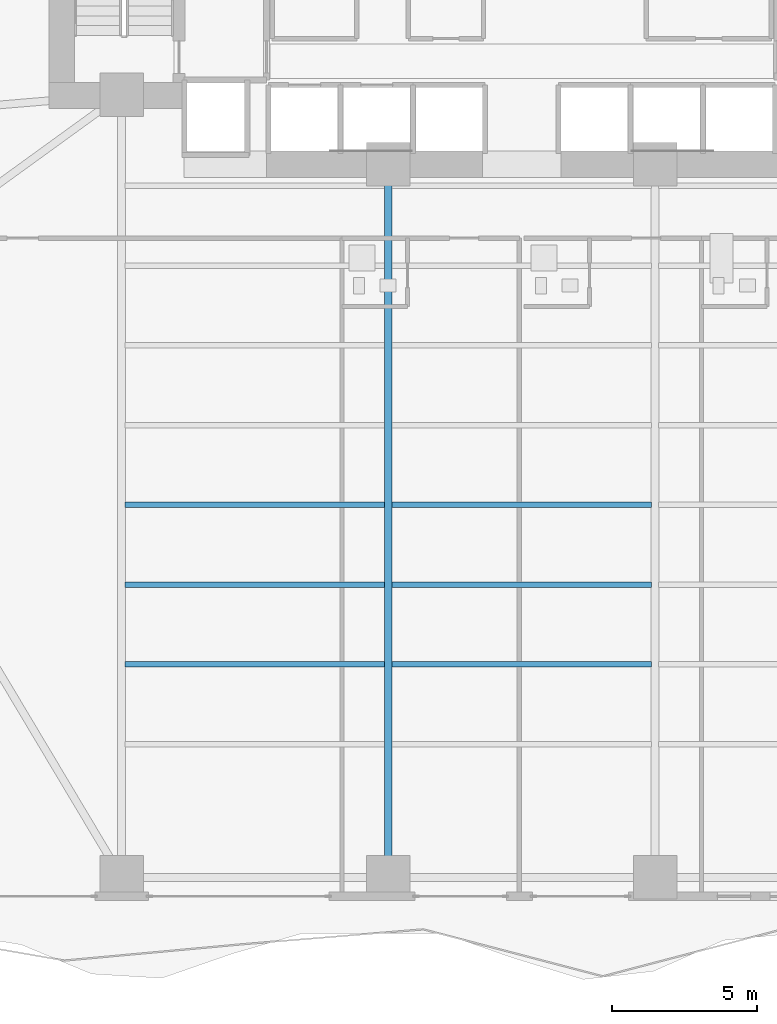
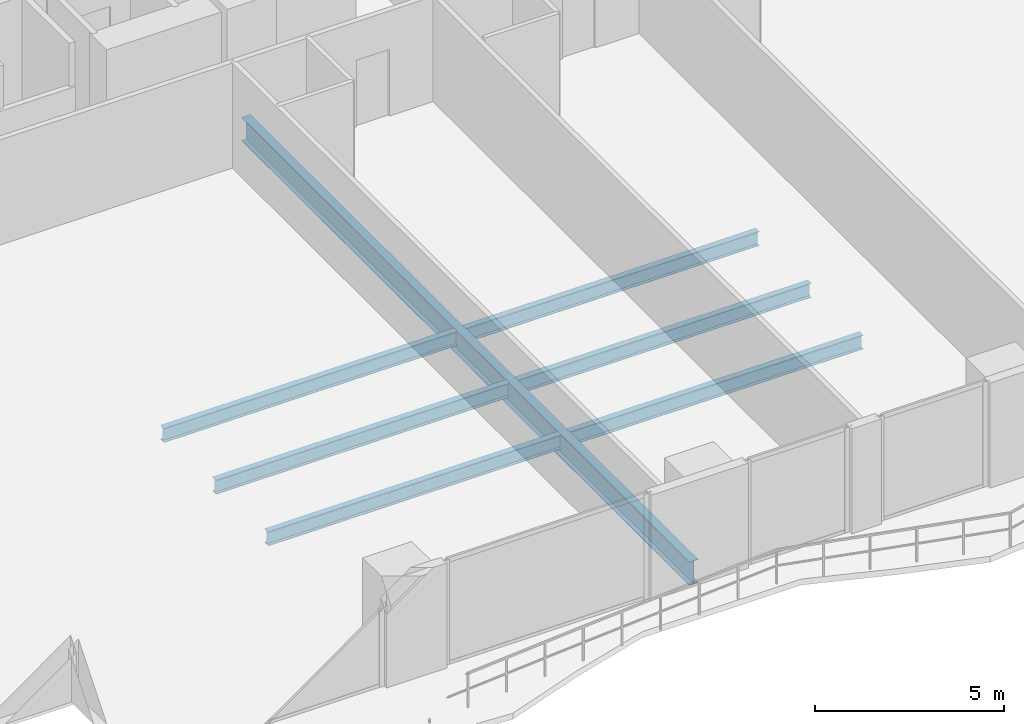
# One storey, part 5 of 30: 7 beams.
"""IFC4 building model written with IfcOpenShell, lengths in metres."""

from ifc_helpers import new_model, si_unit, direction, frame, origin, origin_2d, place, context, subcontext, project, spatial, i_section, extrude, material, material_profile, profile_set, type_object, element, save


model = new_model("IFC4")

# Units and contexts
model_context = context("Model", 3, precision=1e-05, world=origin(), true_north=direction((0.0, 1.0)))
body_context = subcontext(model_context, "Body", "Model", "MODEL_VIEW")
ifc_project = project(units=[si_unit("LENGTHUNIT", "METRE"), si_unit("AREAUNIT", "SQUARE_METRE"), si_unit("VOLUMEUNIT", "CUBIC_METRE"), si_unit("PLANEANGLEUNIT", "RADIAN"), si_unit("MASSUNIT", "GRAM", prefix="KILO")], contexts=[model_context])

# Site, building, storey
site_placement = place(None, origin())
site = spatial("IfcSite", under=ifc_project, at=site_placement, CompositionType="ELEMENT")
building_placement = place(site_placement, origin())
building = spatial("IfcBuilding", under=site, at=building_placement, Name="Zuhayl Quay Hotel", CompositionType="ELEMENT")
storey_placement = place(building_placement, frame((0.0, 0.0, 86.0)))
storey = spatial("IfcBuildingStorey", under=building, at=storey_placement, Name="L21", CompositionType="ELEMENT", Elevation=86.0)

# Beams
ifc_material = material(Name="Steel ASTM A992 Grade 50", Category="steel")
ifc_material_profile_1 = material_profile(ifc_material, i_section(OverallWidth=0.26708984375, OverallDepth=0.761962890625, WebThickness=0.014404296875, FlangeThickness=0.021484375, at=origin_2d()), Name="W30X116")
ifc_profile_set_1 = profile_set([ifc_material_profile_1], Name="Steel ASTM A992 Grade 50")
beam_type_1 = type_object("IfcBeamType", Name="BM_B1_W30X116", PredefinedType="BEAM", material=ifc_profile_set_1)
beam_1_placement = place(storey_placement, frame((-4.60009765625, -21.949951171875, -0.60107421875), z_axis=(0.0, 1.0, 0.0), x_axis=(-1.0, 0.0, 0.0)))
element("IfcBeam", 1, at=beam_1_placement, inside=storey, type_object=beam_type_1, Name="L21 Floor Beam FG_S_L21_2", PredefinedType="BEAM", context=body_context, shape_type="SweptSolid", body=[
    extrude(i_section(OverallWidth=0.26708984375, OverallDepth=0.761962890625, WebThickness=0.014404296875, FlangeThickness=0.021484375, at=origin_2d()), origin(), (0.0, 0.0, 1.0), 23.64990234375),
])
ifc_material_profile_2 = material_profile(ifc_material, i_section(OverallWidth=0.18994140625, OverallDepth=0.45703125, WebThickness=0.009033203125, FlangeThickness=0.014404296875, at=origin_2d()), Name="W18X50")
ifc_profile_set_2 = profile_set([ifc_material_profile_2], Name="Steel ASTM A992 Grade 50")
beam_type_2 = type_object("IfcBeamType", Name="BM_J2_W18X50", PredefinedType="JOIST", material=ifc_profile_set_2)
beam_2_placement = place(storey_placement, frame((-13.674560546875, -15.10009765625, -0.448486328125), z_axis=(1.0, 0.0, 0.0), x_axis=(0.0, 1.0, 0.0)))
element("IfcBeam", 2, at=beam_2_placement, inside=storey, type_object=beam_type_2, Name="L21 Floor Beam FJ_L21_4_1", PredefinedType="JOIST", context=body_context, shape_type="SweptSolid", body=[
    extrude(i_section(OverallWidth=0.18994140625, OverallDepth=0.45703125, WebThickness=0.009033203125, FlangeThickness=0.014404296875, at=origin_2d()), origin(), (0.0, 0.0, 1.0), 8.948974609375),
])
beam_3_placement = place(storey_placement, frame((-4.474609375, -15.10009765625, -0.448486328125), z_axis=(1.0, 0.0, 0.0), x_axis=(0.0, 1.0, 0.0)))
element("IfcBeam", 3, at=beam_3_placement, inside=storey, type_object=beam_type_2, Name="L21 Floor Beam FJ_L21_4_2", PredefinedType="JOIST", context=body_context, shape_type="SweptSolid", body=[
    extrude(i_section(OverallWidth=0.18994140625, OverallDepth=0.45703125, WebThickness=0.009033203125, FlangeThickness=0.014404296875, at=origin_2d()), origin(), (0.0, 0.0, 1.0), 8.94921875),
])
beam_4_placement = place(storey_placement, frame((-13.674560546875, -12.35009765625, -0.448486328125), z_axis=(1.0, 0.0, 0.0), x_axis=(0.0, 1.0, 0.0)))
element("IfcBeam", 4, at=beam_4_placement, inside=storey, type_object=beam_type_2, Name="L21 Floor Beam FJ_L21_5_1", PredefinedType="JOIST", context=body_context, shape_type="SweptSolid", body=[
    extrude(i_section(OverallWidth=0.18994140625, OverallDepth=0.45703125, WebThickness=0.009033203125, FlangeThickness=0.014404296875, at=origin_2d()), origin(), (0.0, 0.0, 1.0), 8.948974609375),
])
beam_5_placement = place(storey_placement, frame((-4.474609375, -12.35009765625, -0.448486328125), z_axis=(1.0, 0.0, 0.0), x_axis=(0.0, 1.0, 0.0)))
element("IfcBeam", 5, at=beam_5_placement, inside=storey, type_object=beam_type_2, Name="L21 Floor Beam FJ_L21_5_2", PredefinedType="JOIST", context=body_context, shape_type="SweptSolid", body=[
    extrude(i_section(OverallWidth=0.18994140625, OverallDepth=0.45703125, WebThickness=0.009033203125, FlangeThickness=0.014404296875, at=origin_2d()), origin(), (0.0, 0.0, 1.0), 8.94921875),
])
beam_6_placement = place(storey_placement, frame((-13.674560546875, -9.60009765625, -0.448486328125), z_axis=(1.0, 0.0, 0.0), x_axis=(0.0, 1.0, 0.0)))
element("IfcBeam", 6, at=beam_6_placement, inside=storey, type_object=beam_type_2, Name="L21 Floor Beam FJ_L21_6_1", PredefinedType="JOIST", context=body_context, shape_type="SweptSolid", body=[
    extrude(i_section(OverallWidth=0.18994140625, OverallDepth=0.45703125, WebThickness=0.009033203125, FlangeThickness=0.014404296875, at=origin_2d()), origin(), (0.0, 0.0, 1.0), 8.948974609375),
])
beam_7_placement = place(storey_placement, frame((-4.474609375, -9.60009765625, -0.448486328125), z_axis=(1.0, 0.0, 0.0), x_axis=(0.0, 1.0, 0.0)))
element("IfcBeam", 7, at=beam_7_placement, inside=storey, type_object=beam_type_2, Name="L21 Floor Beam FJ_L21_6_2", PredefinedType="JOIST", context=body_context, shape_type="SweptSolid", body=[
    extrude(i_section(OverallWidth=0.18994140625, OverallDepth=0.45703125, WebThickness=0.009033203125, FlangeThickness=0.014404296875, at=origin_2d()), origin(), (0.0, 0.0, 1.0), 8.94921875),
])

save(model, "model.ifc")
